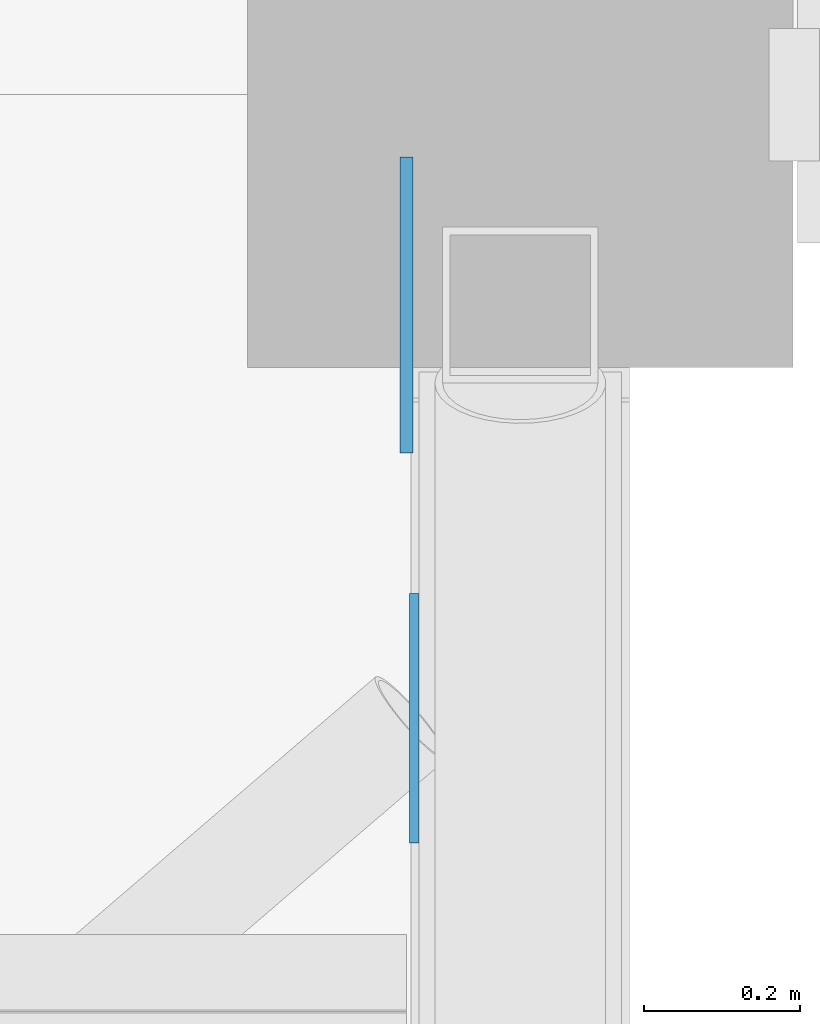
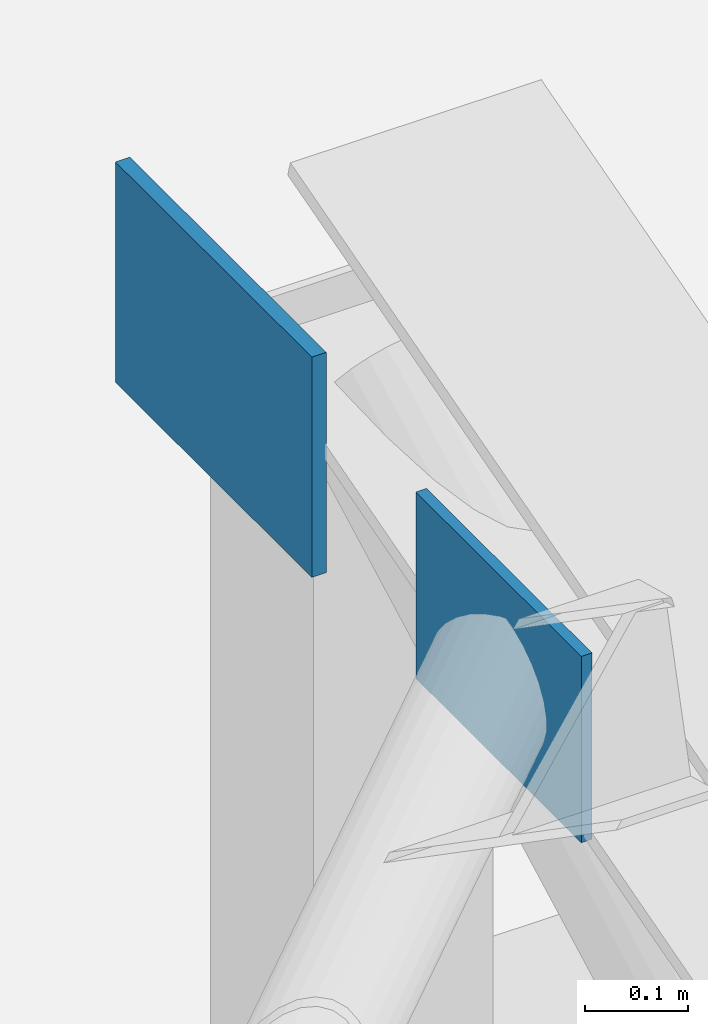
# One storey, part 54 of 71: 2 plates.
"""IFC4 building model written with IfcOpenShell, lengths in metres."""

from ifc_helpers import new_model, si_unit, direction, frame, origin, origin_2d, place, context, subcontext, project, spatial, rectangle, extrude, material, layer, layer_set, type_object, element, save


model = new_model("IFC4")

# Units and contexts
model_context = context("Model", 3, precision=1e-05, world=origin(), true_north=direction((0.0, 1.0)))
body_context = subcontext(model_context, "Body", "Model", "MODEL_VIEW")
ifc_project = project(units=[si_unit("LENGTHUNIT", "METRE"), si_unit("AREAUNIT", "SQUARE_METRE"), si_unit("VOLUMEUNIT", "CUBIC_METRE"), si_unit("PLANEANGLEUNIT", "RADIAN"), si_unit("MASSUNIT", "GRAM", prefix="KILO")], contexts=[model_context])

# Site, building, storey
site_placement = place(None, origin())
site = spatial("IfcSite", under=ifc_project, at=site_placement, CompositionType="ELEMENT")
building_placement = place(site_placement, origin())
building = spatial("IfcBuilding", under=site, at=building_placement, Name="Bempovik Park Faculty of Sciences", CompositionType="ELEMENT")
storey_placement = place(building_placement, frame((0.0, 0.0, 14.10009765625)))
storey = spatial("IfcBuildingStorey", under=building, at=storey_placement, Name="L03", CompositionType="ELEMENT", Elevation=14.10009765625)

# Plates
ifc_material = material(Name="Steel S355", Category="steel")
ifc_layer_1 = layer(ifc_material, 0.011962890625)
ifc_layer_set_1 = layer_set([ifc_layer_1], Name="Steel S355")
plate_type_1 = type_object("IfcPlateType", Name="PL-26 Steel Plate 320x220x12", PredefinedType="SHEET", material=ifc_layer_set_1)
plate_1_placement = place(storey_placement, frame((117.464111328125, 67.0, 7.46044921875), z_axis=(0.0, 0.0, 1.0), x_axis=(1.0, 0.0, 0.0)))
element("IfcPlate", 1, at=plate_1_placement, inside=storey, type_object=plate_type_1, Name="Sawtooth X-Brace End Gusset V1-B5-108.0-2", PredefinedType="SHEET", context=body_context, shape_type="SweptSolid", body=[
    extrude(rectangle(XDim=0.011962890625, YDim=0.320068359375, at=origin_2d()), origin(), (0.0, 0.0, 1.0), 0.219970703125),
])
ifc_layer_2 = layer(ifc_material, 0.01611328125)
ifc_layer_set_2 = layer_set([ifc_layer_2], Name="Steel S355")
plate_type_2 = type_object("IfcPlateType", Name="PL-50 Steel Plate 380x260x16", PredefinedType="SHEET", material=ifc_layer_set_2)
plate_2_placement = place(storey_placement, frame((117.4541015625, 67.530029296875, 7.474609375), z_axis=(0.0, 0.0, 1.0), x_axis=(1.0, 0.0, 0.0)))
element("IfcPlate", 2, at=plate_2_placement, inside=storey, type_object=plate_type_2, Name="Sawtooth Ridge Gusset Plate V1-B5-117.6", PredefinedType="SHEET", context=body_context, shape_type="SweptSolid", body=[
    extrude(rectangle(XDim=0.01611328125, YDim=0.3798828125, at=origin_2d()), origin(), (0.0, 0.0, 1.0), 0.260009765625),
])

save(model, "model.ifc")
